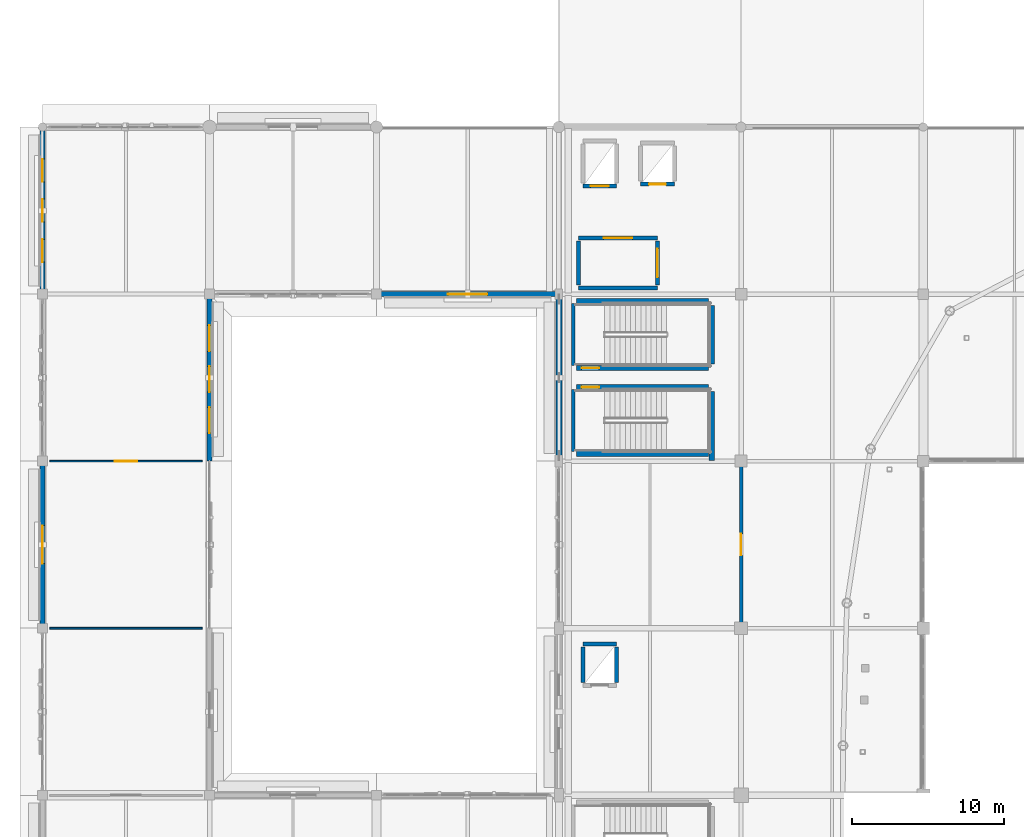
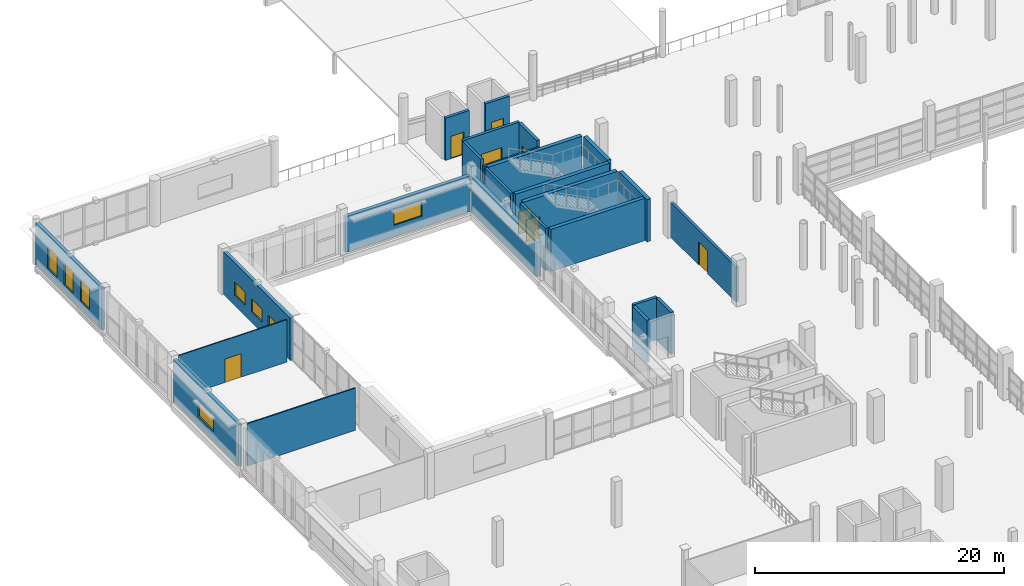
# One storey, part 83 of 118: 25 walls, 8 doors, 8 windows, 16 openings.
"""IFC4 building model written with IfcOpenShell, lengths in metres."""

from ifc_helpers import new_model, si_unit, direction, frame, frame_2d, origin, place, context, subcontext, project, spatial, rectangle, extrude, material, layer, layer_set, type_object, element, fill, save


model = new_model("IFC4")

# Units and contexts
model_context = context("Model", 3, precision=1e-05, world=origin(), true_north=direction((0.0, 1.0)))
body_context = subcontext(model_context, "Body", "Model", "MODEL_VIEW")
ifc_project = project(units=[si_unit("LENGTHUNIT", "METRE"), si_unit("AREAUNIT", "SQUARE_METRE"), si_unit("VOLUMEUNIT", "CUBIC_METRE"), si_unit("PLANEANGLEUNIT", "RADIAN"), si_unit("MASSUNIT", "GRAM", prefix="KILO")], contexts=[model_context])

# Site, building, storey
site_placement = place(None, origin())
site = spatial("IfcSite", under=ifc_project, at=site_placement, CompositionType="ELEMENT")
building_placement = place(site_placement, origin())
building = spatial("IfcBuilding", under=site, at=building_placement, Name="Luwafu Chhajja Arena", CompositionType="ELEMENT")
storey_placement = place(building_placement, frame((0.0, 0.0, 10.199951171875)))
storey = spatial("IfcBuildingStorey", under=building, at=storey_placement, Name="L02", CompositionType="ELEMENT", Elevation=10.199951171875)

# Wall, opening, door
ifc_material_1 = material(Name="Concrete blockwork masonry", Category="masonry")
ifc_layer_1 = layer(ifc_material_1, 0.239990234375, Name="Concrete blockwork masonry")
ifc_layer_set_1 = layer_set([ifc_layer_1], Name="Concrete blockwork masonry")
wall_type_1 = type_object("IfcWallType", Name="Compartment Masonry Partition 240", PredefinedType="PARTITIONING", material=ifc_layer_set_1)
wall_1_placement = place(storey_placement, frame((46.0, 66.219970703125, 0.0), z_axis=(0.0, 0.0, 1.0), x_axis=(0.0, 1.0, 0.0)))
wall_1 = element("IfcWall", 1, at=wall_1_placement, inside=storey, type_object=wall_type_1, Name="L02 Internal Partition 0276", PredefinedType="PARTITIONING", context=body_context, shape_type="SweptSolid", body=[
    extrude(rectangle(XDim=10.56005859375, YDim=0.239990234375, at=frame_2d((5.280029296875, 0.0))), origin(), (0.0, 0.0, 1.0), 3.405029296875),
])
opening_1_placement = place(wall_1_placement, frame((4.570068359375, 0.0, 0.0)))
opening_1 = element("IfcOpeningElement", 2, at=opening_1_placement, cuts=wall_1, Name="Opening DR-12", PredefinedType="OPENING", context=body_context, shape_type="SweptSolid", body=[
    extrude(rectangle(XDim=1.419921875, YDim=2.25, at=frame_2d((0.7099609375, 1.125))), frame((0.0, 0.1298828125, 0.0), z_axis=(0.0, -1.0, 0.0), x_axis=(1.0, 0.0, 0.0)), (0.0, 0.0, 1.0), 0.260009765625),
])
ifc_material_2 = material(Name="Powder-coated steel fire leaf", Category="steel")
door_type_1 = type_object("IfcDoorType", Name="DR-12", OperationType="NOTDEFINED", PredefinedType="DOOR", material=ifc_material_2)
door_1_placement = place(opening_1_placement, origin())
door_1 = element("IfcDoor", 3, at=door_1_placement, inside=storey, type_object=door_type_1, Name="L02 Interior Door L02-D034", OperationType="SINGLE_SWING_LEFT", OverallHeight=2.25, OverallWidth=1.419921875, PredefinedType="DOOR", context=body_context, shape_type="SweptSolid", body=[
    extrude(rectangle(XDim=1.419921875, YDim=2.25, at=frame_2d((0.7099609375, 1.125))), frame((0.0, 0.02490234375, 0.0), z_axis=(0.0, -1.0, 0.0), x_axis=(1.0, 0.0, 0.0)), (0.0, 0.0, 1.0), 0.050048828125),
])
fill(opening_1, door_1)

ifc_material_3 = material(Name="Gypsum plasterboard partition")
ifc_layer_2 = layer(ifc_material_3, 0.10009765625, Name="Gypsum plasterboard partition")
ifc_layer_set_2 = layer_set([ifc_layer_2], Name="Gypsum plasterboard partition")
wall_type_2 = type_object("IfcWallType", Name="Drywall Lining Partition 100", PredefinedType="PARTITIONING", material=ifc_layer_set_2)
wall_2_placement = place(storey_placement, frame((0.47998046875, 77.0, 0.0), z_axis=(0.0, 0.0, 1.0), x_axis=(1.0, 0.0, 0.0)))
wall_2 = element("IfcWall", 4, at=wall_2_placement, inside=storey, type_object=wall_type_2, Name="L02 Internal Partition 0269", PredefinedType="PARTITIONING", context=body_context, shape_type="SweptSolid", body=[
    extrude(rectangle(XDim=10.0400390625, YDim=0.10009765625, at=frame_2d((5.02001953125, 0.0))), origin(), (0.0, 0.0, 1.0), 4.14013671875),
])
opening_2_placement = place(wall_2_placement, frame((4.27001953125, 0.0, 0.0)))
opening_2 = element("IfcOpeningElement", 5, at=opening_2_placement, cuts=wall_2, Name="Opening DR-30", PredefinedType="OPENING", context=body_context, shape_type="SweptSolid", body=[
    extrude(rectangle(XDim=1.5, YDim=2.300048828125, at=frame_2d((0.75, 1.14990234375))), frame((0.0, 0.06005859375, 0.0), z_axis=(0.0, -1.0, 0.0), x_axis=(1.0, 0.0, 0.0)), (0.0, 0.0, 1.0), 0.1201171875),
])
ifc_material_4 = material(Name="Anodised bronze glazed double door")
door_type_2 = type_object("IfcDoorType", Name="DR-30", OperationType="DOUBLE_DOOR_SINGLE_SWING", PredefinedType="DOOR", material=ifc_material_4)
door_2_placement = place(opening_2_placement, origin())
door_2 = element("IfcDoor", 6, at=door_2_placement, inside=storey, type_object=door_type_2, Name="L02 Interior Door L02-D030", OperationType="DOUBLE_DOOR_SINGLE_SWING", OverallHeight=2.300048828125, OverallWidth=1.5, PredefinedType="DOOR", context=body_context, shape_type="SweptSolid", body=[
    extrude(rectangle(XDim=1.5, YDim=2.300048828125, at=frame_2d((0.75, 1.14990234375))), frame((0.0, 0.02490234375, 0.0), z_axis=(0.0, -1.0, 0.0), x_axis=(1.0, 0.0, 0.0)), (0.0, 0.0, 1.0), 0.050048828125),
])
fill(opening_2, door_2)

ifc_material_5 = material(Name="Concrete C40/50", Category="concrete")
ifc_layer_3 = layer(ifc_material_5, 0.260009765625, Name="Concrete C40/50")
ifc_layer_set_3 = layer_set([ifc_layer_3], Name="Concrete C40/50")
wall_type_3 = type_object("IfcWallType", Name="Firefighting Lobby Wall 260", PredefinedType="SOLIDWALL", material=ifc_layer_set_3)
wall_3_placement = place(storey_placement, frame((35.300048828125, 91.699951171875, 0.0), z_axis=(0.0, 0.0, 1.0), x_axis=(1.0, 0.0, 0.0)))
wall_3 = element("IfcWall", 7, at=wall_3_placement, inside=storey, type_object=wall_type_3, Name="L02 Core C3 Firefighting Lobby Wall N", PredefinedType="SOLIDWALL", context=body_context, shape_type="SweptSolid", body=[
    extrude(rectangle(XDim=5.199951171875, YDim=0.260009765625, at=frame_2d((2.60009765625, 0.0))), origin(), (0.0, 0.0, 1.0), 4.14013671875),
])
opening_3_placement = place(wall_3_placement, frame((1.64990234375, 0.0, 0.0)))
opening_3 = element("IfcOpeningElement", 8, at=opening_3_placement, cuts=wall_3, Name="Opening DR-07", PredefinedType="OPENING", context=body_context, shape_type="SweptSolid", body=[
    extrude(rectangle(XDim=1.89990234375, YDim=2.199951171875, at=frame_2d((0.949951171875, 1.10009765625))), frame((0.0, 0.139892578125, 0.0), z_axis=(0.0, -1.0, 0.0), x_axis=(1.0, 0.0, 0.0)), (0.0, 0.0, 1.0), 0.280029296875),
])
ifc_material_6 = material(Name="Fire-rated hardwood and vision panel", Category="wood")
door_type_3 = type_object("IfcDoorType", Name="DR-07", OperationType="DOUBLE_DOOR_SINGLE_SWING", PredefinedType="DOOR", material=ifc_material_6)
door_3_placement = place(opening_3_placement, origin())
door_3 = element("IfcDoor", 9, at=door_3_placement, inside=storey, type_object=door_type_3, Name="L02 Firefighting Lobby C3 Door L02-D011", OperationType="DOUBLE_DOOR_SINGLE_SWING", OverallHeight=2.199951171875, OverallWidth=1.89990234375, PredefinedType="DOOR", context=body_context, shape_type="SweptSolid", body=[
    extrude(rectangle(XDim=1.89990234375, YDim=2.199951171875, at=frame_2d((0.949951171875, 1.10009765625))), frame((0.0, 0.02490234375, 0.0), z_axis=(0.0, -1.0, 0.0), x_axis=(1.0, 0.0, 0.0)), (0.0, 0.0, 1.0), 0.050048828125),
])
fill(opening_3, door_3)

# Walls
wall_4_placement = place(storey_placement, frame((35.300048828125, 88.39990234375, 0.0), z_axis=(0.0, 0.0, 1.0), x_axis=(1.0, 0.0, 0.0)))
element("IfcWall", 10, at=wall_4_placement, inside=storey, type_object=wall_type_3, Name="L02 Core C3 Firefighting Lobby Wall S", PredefinedType="SOLIDWALL", context=body_context, shape_type="SweptSolid", body=[
    extrude(rectangle(XDim=5.199951171875, YDim=0.260009765625, at=frame_2d((2.60009765625, 0.0))), origin(), (0.0, 0.0, 1.0), 3.590087890625),
])
wall_5_placement = place(storey_placement, frame((35.300048828125, 88.60009765625, 0.0), z_axis=(0.0, 0.0, 1.0), x_axis=(0.0, 1.0, 0.0)))
element("IfcWall", 11, at=wall_5_placement, inside=storey, type_object=wall_type_3, Name="L02 Core C3 Firefighting Lobby Wall W", PredefinedType="SOLIDWALL", context=body_context, shape_type="SweptSolid", body=[
    extrude(rectangle(XDim=2.89990234375, YDim=0.260009765625, at=frame_2d((1.449951171875, 0.0))), origin(), (0.0, 0.0, 1.0), 4.14013671875),
])

# Wall, opening, door
wall_6_placement = place(storey_placement, frame((40.5, 88.60009765625, 0.0), z_axis=(0.0, 0.0, 1.0), x_axis=(0.0, 1.0, 0.0)))
wall_6 = element("IfcWall", 12, at=wall_6_placement, inside=storey, type_object=wall_type_3, Name="L02 Core C3 Firefighting Lobby Wall E", PredefinedType="SOLIDWALL", context=body_context, shape_type="SweptSolid", body=[
    extrude(rectangle(XDim=2.89990234375, YDim=0.260009765625, at=frame_2d((1.449951171875, 0.0))), origin(), (0.0, 0.0, 1.0), 4.14013671875),
])
opening_4_placement = place(wall_6_placement, frame((0.5, 0.0, 0.0)))
opening_4 = element("IfcOpeningElement", 13, at=opening_4_placement, cuts=wall_6, Name="Opening DR-07", PredefinedType="OPENING", context=body_context, shape_type="SweptSolid", body=[
    extrude(rectangle(XDim=1.89990234375, YDim=2.199951171875, at=frame_2d((0.949951171875, 1.10009765625))), frame((0.0, 0.139892578125, 0.0), z_axis=(0.0, -1.0, 0.0), x_axis=(1.0, 0.0, 0.0)), (0.0, 0.0, 1.0), 0.280029296875),
])
door_4_placement = place(opening_4_placement, origin())
door_4 = element("IfcDoor", 14, at=door_4_placement, inside=storey, type_object=door_type_3, Name="L02 Firefighting Lobby C3 Door L02-D012", OperationType="DOUBLE_DOOR_SINGLE_SWING", OverallHeight=2.199951171875, OverallWidth=1.89990234375, PredefinedType="DOOR", context=body_context, shape_type="SweptSolid", body=[
    extrude(rectangle(XDim=1.89990234375, YDim=2.199951171875, at=frame_2d((0.949951171875, 1.10009765625))), frame((0.0, 0.02490234375, 0.0), z_axis=(0.0, -1.0, 0.0), x_axis=(1.0, 0.0, 0.0)), (0.0, 0.0, 1.0), 0.050048828125),
])
fill(opening_4, door_4)

# Wall
ifc_material_7 = material(Name="Acoustic metal-stud gypsum board")
ifc_layer_4 = layer(ifc_material_7, 0.1201171875, Name="Acoustic metal-stud gypsum board")
ifc_layer_set_4 = layer_set([ifc_layer_4], Name="Acoustic metal-stud gypsum board")
wall_type_4 = type_object("IfcWallType", Name="Internal Room Partition 120", PredefinedType="PARTITIONING", material=ifc_layer_set_4)
wall_7_placement = place(storey_placement, frame((0.47998046875, 66.0, 0.0), z_axis=(0.0, 0.0, 1.0), x_axis=(1.0, 0.0, 0.0)))
element("IfcWall", 15, at=wall_7_placement, inside=storey, type_object=wall_type_4, Name="L02 Internal Partition 0285", PredefinedType="PARTITIONING", context=body_context, shape_type="SweptSolid", body=[
    extrude(rectangle(XDim=10.0400390625, YDim=0.1201171875, at=frame_2d((5.02001953125, 0.0))), origin(), (0.0, 0.0, 1.0), 4.14013671875),
])

# Wall, opening, door
ifc_material_8 = material(Name="Concrete C35/45", Category="concrete")
ifc_layer_5 = layer(ifc_material_8, 0.260009765625, Name="Concrete C35/45")
ifc_layer_set_5 = layer_set([ifc_layer_5], Name="Concrete C35/45")
wall_type_5 = type_object("IfcWallType", Name="Lift and Riser Shaft Wall 260", PredefinedType="SOLIDWALL", material=ifc_layer_set_5)
wall_8_placement = place(storey_placement, frame((35.590087890625, 95.114990234375, 0.0), z_axis=(0.0, 0.0, 1.0), x_axis=(1.0, 0.0, 0.0)))
wall_8 = element("IfcWall", 16, at=wall_8_placement, inside=storey, type_object=wall_type_5, Name="L02 Lift LF-03 Shaft Wall S", PredefinedType="SOLIDWALL", context=body_context, shape_type="SweptSolid", body=[
    extrude(rectangle(XDim=2.219970703125, YDim=0.260009765625, at=frame_2d((1.10986328125, 0.0))), origin(), (0.0, 0.0, 1.0), 4.14013671875),
])
opening_5_placement = place(wall_8_placement, frame((0.510009765625, 0.0, 0.0)))
opening_5 = element("IfcOpeningElement", 17, at=opening_5_placement, cuts=wall_8, Name="Opening LD-02", PredefinedType="OPENING", context=body_context, shape_type="SweptSolid", body=[
    extrude(rectangle(XDim=1.199951171875, YDim=2.199951171875, at=frame_2d((0.60009765625, 1.10009765625))), frame((0.0, 0.139892578125, 0.0), z_axis=(0.0, -1.0, 0.0), x_axis=(1.0, 0.0, 0.0)), (0.0, 0.0, 1.0), 0.280029296875),
])
ifc_material_9 = material(Name="Brushed stainless steel sliding leaves", Category="steel")
door_type_4 = type_object("IfcDoorType", Name="LD-02", OperationType="SLIDING_TO_LEFT", PredefinedType="DOOR", material=ifc_material_9)
door_5_placement = place(opening_5_placement, origin())
door_5 = element("IfcDoor", 18, at=door_5_placement, inside=storey, type_object=door_type_4, Name="L02 Lift LF-03 Landing Door L02-LD05", OperationType="SLIDING_TO_LEFT", OverallHeight=2.199951171875, OverallWidth=1.199951171875, PredefinedType="DOOR", context=body_context, shape_type="SweptSolid", body=[
    extrude(rectangle(XDim=1.199951171875, YDim=2.199951171875, at=frame_2d((0.60009765625, 1.10009765625))), frame((0.0, 0.02490234375, 0.0), z_axis=(0.0, -1.0, 0.0), x_axis=(1.0, 0.0, 0.0)), (0.0, 0.0, 1.0), 0.050048828125),
])
fill(opening_5, door_5)

wall_9_placement = place(storey_placement, frame((39.389892578125, 95.239990234375, 0.0), z_axis=(0.0, 0.0, 1.0), x_axis=(1.0, 0.0, 0.0)))
wall_9 = element("IfcWall", 19, at=wall_9_placement, inside=storey, type_object=wall_type_5, Name="L02 Lift LF-07 Shaft Wall S", PredefinedType="SOLIDWALL", context=body_context, shape_type="SweptSolid", body=[
    extrude(rectangle(XDim=2.22021484375, YDim=0.260009765625, at=frame_2d((1.110107421875, 0.0))), origin(), (0.0, 0.0, 1.0), 4.14013671875),
])
opening_6_placement = place(wall_9_placement, frame((0.56005859375, 0.0, 0.0)))
opening_6 = element("IfcOpeningElement", 20, at=opening_6_placement, cuts=wall_9, Name="Opening LD-01", PredefinedType="OPENING", context=body_context, shape_type="SweptSolid", body=[
    extrude(rectangle(XDim=1.10009765625, YDim=2.14990234375, at=frame_2d((0.550048828125, 1.074951171875))), frame((0.0, 0.139892578125, 0.0), z_axis=(0.0, -1.0, 0.0), x_axis=(1.0, 0.0, 0.0)), (0.0, 0.0, 1.0), 0.280029296875),
])
door_type_5 = type_object("IfcDoorType", Name="LD-01", OperationType="SLIDING_TO_LEFT", PredefinedType="DOOR", material=ifc_material_9)
door_6_placement = place(opening_6_placement, origin())
door_6 = element("IfcDoor", 21, at=door_6_placement, inside=storey, type_object=door_type_5, Name="L02 Lift LF-07 Landing Door L02-LD06", OperationType="SLIDING_TO_LEFT", OverallHeight=2.14990234375, OverallWidth=1.10009765625, PredefinedType="DOOR", context=body_context, shape_type="SweptSolid", body=[
    extrude(rectangle(XDim=1.10009765625, YDim=2.14990234375, at=frame_2d((0.550048828125, 1.074951171875))), frame((0.0, 0.02490234375, 0.0), z_axis=(0.0, -1.0, 0.0), x_axis=(1.0, 0.0, 0.0)), (0.0, 0.0, 1.0), 0.050048828125),
])
fill(opening_6, door_6)

# Walls
wall_10_placement = place(storey_placement, frame((35.590087890625, 64.9599609375, 0.0), z_axis=(0.0, 0.0, 1.0), x_axis=(1.0, 0.0, 0.0)))
element("IfcWall", 22, at=wall_10_placement, inside=storey, type_object=wall_type_5, Name="L02 Lift LF-09 Shaft Wall N", PredefinedType="SOLIDWALL", context=body_context, shape_type="SweptSolid", body=[
    extrude(rectangle(XDim=2.219970703125, YDim=0.260009765625, at=frame_2d((1.10986328125, 0.0))), origin(), (0.0, 0.0, 1.0), 4.14013671875),
])
for number, where, z_axis, x_axis, name in (
    (23, (35.590087890625, 62.43994140625, 0.0), (0.0, 0.0, 1.0), (0.0, 1.0, 0.0), "L02 Lift LF-09 Shaft Wall W"),
    (24, (37.81005859375, 62.43994140625, 0.0), (0.0, 0.0, 1.0), (0.0, 1.0, 0.0), "L02 Lift LF-09 Shaft Wall E"),
):
    element("IfcWall", number, at=place(storey_placement, frame(where, z_axis=z_axis, x_axis=x_axis)), inside=storey, type_object=wall_type_5, Name=name, PredefinedType="SOLIDWALL", context=body_context, shape_type="SweptSolid", body=[
        extrude(rectangle(XDim=2.320068359375, YDim=0.260009765625, at=frame_2d((1.16015625, 0.0))), origin(), (0.0, 0.0, 1.0), 4.14013671875),
    ])
ifc_layer_6 = layer(ifc_material_5, 0.35009765625, Name="Concrete C40/50")
ifc_layer_set_6 = layer_set([ifc_layer_6], Name="Concrete C40/50")
wall_type_6 = type_object("IfcWallType", Name="RC Core Shear Wall 350", PredefinedType="SOLIDWALL", material=ifc_layer_set_6)
wall_11_placement = place(storey_placement, frame((44.072021484375, 77.050048828125, 0.0), z_axis=(0.0, 0.0, 1.0), x_axis=(0.0, 1.0, 0.0)))
element("IfcWall", 25, at=wall_11_placement, inside=storey, type_object=wall_type_6, Name="L02 Stair ST-05 Core Shear Wall E", PredefinedType="SOLIDWALL", context=body_context, shape_type="SweptSolid", body=[
    extrude(rectangle(XDim=4.5400390625, YDim=0.35009765625, at=frame_2d((2.27001953125, 0.0))), origin(), (0.0, 0.0, 1.0), 4.14013671875),
])
wall_12_placement = place(storey_placement, frame((35.14990234375, 77.47802734375, 0.0), z_axis=(0.0, 0.0, 1.0), x_axis=(1.0, 0.0, 0.0)))
element("IfcWall", 26, at=wall_12_placement, inside=storey, type_object=wall_type_6, Name="L02 Stair ST-05 Core Shear Wall S", PredefinedType="SOLIDWALL", context=body_context, shape_type="SweptSolid", body=[
    extrude(rectangle(XDim=8.7001953125, YDim=0.35009765625, at=frame_2d((4.35009765625, 0.0))), origin(), (0.0, 0.0, 1.0), 4.14013671875),
])

# Wall, opening, door
wall_13_placement = place(storey_placement, frame((35.14990234375, 81.862060546875, 0.0), z_axis=(0.0, 0.0, 1.0), x_axis=(1.0, 0.0, 0.0)))
wall_13 = element("IfcWall", 27, at=wall_13_placement, inside=storey, type_object=wall_type_6, Name="L02 Stair ST-05 Core Shear Wall N", PredefinedType="SOLIDWALL", context=body_context, shape_type="SweptSolid", body=[
    extrude(rectangle(XDim=8.7001953125, YDim=0.35009765625, at=frame_2d((4.35009765625, 0.0))), origin(), (0.0, 0.0, 1.0), 4.14013671875),
])
opening_7_placement = place(wall_13_placement, frame((0.35009765625, 0.0, 0.0)))
opening_7 = element("IfcOpeningElement", 28, at=opening_7_placement, cuts=wall_13, Name="Opening DR-06", PredefinedType="OPENING", context=body_context, shape_type="SweptSolid", body=[
    extrude(rectangle(XDim=1.14990234375, YDim=2.199951171875, at=frame_2d((0.574951171875, 1.10009765625))), frame((0.0, 0.18505859375, 0.0), z_axis=(0.0, -1.0, 0.0), x_axis=(1.0, 0.0, 0.0)), (0.0, 0.0, 1.0), 0.3701171875),
])
ifc_material_10 = material(Name="Fire-rated hardwood and steel core", Category="steel")
door_type_6 = type_object("IfcDoorType", Name="DR-06", OperationType="NOTDEFINED", PredefinedType="DOOR", material=ifc_material_10)
door_7_placement = place(opening_7_placement, origin())
door_7 = element("IfcDoor", 29, at=door_7_placement, inside=storey, type_object=door_type_6, Name="L02 Escape Stair ST-05 Fire Door L02-D009", OperationType="SINGLE_SWING_RIGHT", OverallHeight=2.199951171875, OverallWidth=1.14990234375, PredefinedType="DOOR", context=body_context, shape_type="SweptSolid", body=[
    extrude(rectangle(XDim=1.14990234375, YDim=2.199951171875, at=frame_2d((0.574951171875, 1.10009765625))), frame((0.0, 0.02490234375, 0.0), z_axis=(0.0, -1.0, 0.0), x_axis=(1.0, 0.0, 0.0)), (0.0, 0.0, 1.0), 0.050048828125),
])
fill(opening_7, door_7)

# Wall
wall_14_placement = place(storey_placement, frame((44.072021484375, 83.409912109375, 0.0), z_axis=(0.0, 0.0, 1.0), x_axis=(0.0, 1.0, 0.0)))
element("IfcWall", 30, at=wall_14_placement, inside=storey, type_object=wall_type_6, Name="L02 Stair ST-06 Core Shear Wall E", PredefinedType="SOLIDWALL", context=body_context, shape_type="SweptSolid", body=[
    extrude(rectangle(XDim=3.840087890625, YDim=0.35009765625, at=frame_2d((1.919921875, 0.0))), origin(), (0.0, 0.0, 1.0), 4.14013671875),
])

# Wall, opening, door
wall_15_placement = place(storey_placement, frame((35.14990234375, 83.137939453125, 0.0), z_axis=(0.0, 0.0, 1.0), x_axis=(1.0, 0.0, 0.0)))
wall_15 = element("IfcWall", 31, at=wall_15_placement, inside=storey, type_object=wall_type_6, Name="L02 Stair ST-06 Core Shear Wall S", PredefinedType="SOLIDWALL", context=body_context, shape_type="SweptSolid", body=[
    extrude(rectangle(XDim=8.7001953125, YDim=0.35009765625, at=frame_2d((4.35009765625, 0.0))), origin(), (0.0, 0.0, 1.0), 4.14013671875),
])
opening_8_placement = place(wall_15_placement, frame((0.35009765625, 0.0, 0.0)))
opening_8 = element("IfcOpeningElement", 32, at=opening_8_placement, cuts=wall_15, Name="Opening DR-06", PredefinedType="OPENING", context=body_context, shape_type="SweptSolid", body=[
    extrude(rectangle(XDim=1.14990234375, YDim=2.199951171875, at=frame_2d((0.574951171875, 1.10009765625))), frame((0.0, 0.18505859375, 0.0), z_axis=(0.0, -1.0, 0.0), x_axis=(1.0, 0.0, 0.0)), (0.0, 0.0, 1.0), 0.3701171875),
])
door_8_placement = place(opening_8_placement, origin())
door_8 = element("IfcDoor", 33, at=door_8_placement, inside=storey, type_object=door_type_6, Name="L02 Escape Stair ST-06 Fire Door L02-D010", OperationType="SINGLE_SWING_LEFT", OverallHeight=2.199951171875, OverallWidth=1.14990234375, PredefinedType="DOOR", context=body_context, shape_type="SweptSolid", body=[
    extrude(rectangle(XDim=1.14990234375, YDim=2.199951171875, at=frame_2d((0.574951171875, 1.10009765625))), frame((0.0, 0.02490234375, 0.0), z_axis=(0.0, -1.0, 0.0), x_axis=(1.0, 0.0, 0.0)), (0.0, 0.0, 1.0), 0.050048828125),
])
fill(opening_8, door_8)

# Walls
wall_16_placement = place(storey_placement, frame((35.14990234375, 87.52197265625, 0.0), z_axis=(0.0, 0.0, 1.0), x_axis=(1.0, 0.0, 0.0)))
element("IfcWall", 34, at=wall_16_placement, inside=storey, type_object=wall_type_6, Name="L02 Stair ST-06 Core Shear Wall N", PredefinedType="SOLIDWALL", context=body_context, shape_type="SweptSolid", body=[
    extrude(rectangle(XDim=8.7001953125, YDim=0.35009765625, at=frame_2d((4.35009765625, 0.0))), origin(), (0.0, 0.0, 1.0), 4.14013671875),
])
ifc_layer_7 = layer(ifc_material_5, 0.39990234375, Name="Concrete C40/50")
ifc_layer_set_7 = layer_set([ifc_layer_7], Name="Concrete C40/50")
wall_type_7 = type_object("IfcWallType", Name="RC Core Shear Wall 400", PredefinedType="SOLIDWALL", material=ifc_layer_set_7)
wall_17_placement = place(storey_placement, frame((34.0, 77.219970703125, 0.0), z_axis=(0.0, 0.0, 1.0), x_axis=(0.0, 1.0, 0.0)))
element("IfcWall", 35, at=wall_17_placement, inside=storey, type_object=wall_type_7, Name="L02 Exterior Wall WEX-L02-161", PredefinedType="SOLIDWALL", context=body_context, shape_type="SweptSolid", body=[
    extrude(rectangle(XDim=10.56005859375, YDim=0.39990234375, at=frame_2d((5.280029296875, 0.0))), origin(), (0.0, 0.0, 1.0), 3.405029296875),
])

# Wall, opening, window
ifc_layer_8 = layer(ifc_material_8, 0.320068359375, Name="Concrete C35/45")
ifc_layer_set_8 = layer_set([ifc_layer_8], Name="Concrete C35/45")
wall_type_8 = type_object("IfcWallType", Name="Sandstone Backed Exterior Wall 320", PredefinedType="SOLIDWALL", material=ifc_layer_set_8)
wall_18_placement = place(storey_placement, frame((0.0, 66.219970703125, 0.0), z_axis=(0.0, 0.0, 1.0), x_axis=(0.0, 1.0, 0.0)))
wall_18 = element("IfcWall", 36, at=wall_18_placement, inside=storey, type_object=wall_type_8, Name="L02 Exterior Wall WEX-L02-153", PredefinedType="SOLIDWALL", context=body_context, shape_type="SweptSolid", body=[
    extrude(rectangle(XDim=10.56005859375, YDim=0.320068359375, at=frame_2d((5.280029296875, 0.0))), origin(), (0.0, 0.0, 1.0), 4.14501953125),
])
opening_9_placement = place(wall_18_placement, frame((4.030029296875, 0.0, 1.0)))
opening_9 = element("IfcOpeningElement", 37, at=opening_9_placement, cuts=wall_18, Name="Opening WN-20", PredefinedType="OPENING", context=body_context, shape_type="SweptSolid", body=[
    extrude(rectangle(XDim=2.5, YDim=1.35009765625, at=frame_2d((1.25, 0.675048828125))), frame((0.0, 0.169921875, 0.0), z_axis=(0.0, -1.0, 0.0), x_axis=(1.0, 0.0, 0.0)), (0.0, 0.0, 1.0), 0.340087890625),
])
ifc_material_11 = material(Name="Solar-control laminated glass", Category="glass")
window_type_1 = type_object("IfcWindowType", Name="Broadcast Gallery Slot Window 2500x1350", PartitioningType="SINGLE_PANEL", PredefinedType="WINDOW", material=ifc_material_11)
window_1_placement = place(opening_9_placement, origin())
window_1 = element("IfcWindow", 38, at=window_1_placement, inside=storey, type_object=window_type_1, Name="L02 Facade Window 082", OverallHeight=1.35009765625, OverallWidth=2.5, PartitioningType="SINGLE_PANEL", PredefinedType="WINDOW", context=body_context, shape_type="SweptSolid", body=[
    extrude(rectangle(XDim=2.5, YDim=1.35009765625, at=frame_2d((1.25, 0.675048828125))), frame((0.0, 0.030029296875, 0.0), z_axis=(0.0, -1.0, 0.0), x_axis=(1.0, 0.0, 0.0)), (0.0, 0.0, 1.0), 0.06005859375),
])
fill(opening_9, window_1)

# Wall, openings, windows
wall_19_placement = place(storey_placement, frame((11.0, 77.0, 0.0), z_axis=(0.0, 0.0, 1.0), x_axis=(0.0, 1.0, 0.0)))
wall_19 = element("IfcWall", 39, at=wall_19_placement, inside=storey, type_object=wall_type_8, Name="L02 Exterior Wall WEX-L02-154", PredefinedType="SOLIDWALL", context=body_context, shape_type="SweptSolid", body=[
    extrude(rectangle(XDim=10.780029296875, YDim=0.320068359375, at=frame_2d((5.39013671875, 0.0))), origin(), (0.0, 0.0, 1.0), 4.14501953125),
])
opening_10_placement = place(wall_19_placement, frame((1.844970703125, 0.0, 1.0)))
opening_10 = element("IfcOpeningElement", 40, at=opening_10_placement, cuts=wall_19, Name="Opening WN-21", PredefinedType="OPENING", context=body_context, shape_type="SweptSolid", body=[
    extrude(rectangle(XDim=1.699951171875, YDim=1.300048828125, at=frame_2d((0.85009765625, 0.64990234375))), frame((0.0, 0.169921875, 0.0), z_axis=(0.0, -1.0, 0.0), x_axis=(1.0, 0.0, 0.0)), (0.0, 0.0, 1.0), 0.340087890625),
])
opening_11_placement = place(wall_19_placement, frame((4.5400390625, 0.0, 1.0)))
opening_11 = element("IfcOpeningElement", 41, at=opening_11_placement, cuts=wall_19, Name="Opening WN-21", PredefinedType="OPENING", context=body_context, shape_type="SweptSolid", body=[
    extrude(rectangle(XDim=1.699951171875, YDim=1.300048828125, at=frame_2d((0.85009765625, 0.64990234375))), frame((0.0, 0.169921875, 0.0), z_axis=(0.0, -1.0, 0.0), x_axis=(1.0, 0.0, 0.0)), (0.0, 0.0, 1.0), 0.340087890625),
])
opening_12_placement = place(wall_19_placement, frame((7.235107421875, 0.0, 1.0)))
opening_12 = element("IfcOpeningElement", 42, at=opening_12_placement, cuts=wall_19, Name="Opening WN-21", PredefinedType="OPENING", context=body_context, shape_type="SweptSolid", body=[
    extrude(rectangle(XDim=1.699951171875, YDim=1.300048828125, at=frame_2d((0.85009765625, 0.64990234375))), frame((0.0, 0.169921875, 0.0), z_axis=(0.0, -1.0, 0.0), x_axis=(1.0, 0.0, 0.0)), (0.0, 0.0, 1.0), 0.340087890625),
])
window_type_2 = type_object("IfcWindowType", Name="Technical Gallery Louvred Window 1700x1300", PartitioningType="SINGLE_PANEL", PredefinedType="WINDOW", material=ifc_material_11)
window_2_placement = place(opening_10_placement, origin())
window_2 = element("IfcWindow", 43, at=window_2_placement, inside=storey, type_object=window_type_2, Name="L02 Facade Window 083", OverallHeight=1.300048828125, OverallWidth=1.699951171875, PartitioningType="SINGLE_PANEL", PredefinedType="WINDOW", context=body_context, shape_type="SweptSolid", body=[
    extrude(rectangle(XDim=1.699951171875, YDim=1.300048828125, at=frame_2d((0.85009765625, 0.64990234375))), frame((0.0, 0.030029296875, 0.0), z_axis=(0.0, -1.0, 0.0), x_axis=(1.0, 0.0, 0.0)), (0.0, 0.0, 1.0), 0.06005859375),
])
fill(opening_10, window_2)
window_3_placement = place(opening_11_placement, origin())
window_3 = element("IfcWindow", 44, at=window_3_placement, inside=storey, type_object=window_type_2, Name="L02 Facade Window 084", OverallHeight=1.300048828125, OverallWidth=1.699951171875, PartitioningType="SINGLE_PANEL", PredefinedType="WINDOW", context=body_context, shape_type="SweptSolid", body=[
    extrude(rectangle(XDim=1.699951171875, YDim=1.300048828125, at=frame_2d((0.85009765625, 0.64990234375))), frame((0.0, 0.030029296875, 0.0), z_axis=(0.0, -1.0, 0.0), x_axis=(1.0, 0.0, 0.0)), (0.0, 0.0, 1.0), 0.06005859375),
])
fill(opening_11, window_3)
window_4_placement = place(opening_12_placement, origin())
window_4 = element("IfcWindow", 45, at=window_4_placement, inside=storey, type_object=window_type_2, Name="L02 Facade Window 085", OverallHeight=1.300048828125, OverallWidth=1.699951171875, PartitioningType="SINGLE_PANEL", PredefinedType="WINDOW", context=body_context, shape_type="SweptSolid", body=[
    extrude(rectangle(XDim=1.699951171875, YDim=1.300048828125, at=frame_2d((0.85009765625, 0.64990234375))), frame((0.0, 0.030029296875, 0.0), z_axis=(0.0, -1.0, 0.0), x_axis=(1.0, 0.0, 0.0)), (0.0, 0.0, 1.0), 0.06005859375),
])
fill(opening_12, window_4)

wall_20_placement = place(storey_placement, frame((0.0, 88.219970703125, 0.0), z_axis=(0.0, 0.0, 1.0), x_axis=(0.0, 1.0, 0.0)))
wall_20 = element("IfcWall", 46, at=wall_20_placement, inside=storey, type_object=wall_type_8, Name="L02 Exterior Wall WEX-L02-155", PredefinedType="SOLIDWALL", context=body_context, shape_type="SweptSolid", body=[
    extrude(rectangle(XDim=10.56005859375, YDim=0.320068359375, at=frame_2d((5.280029296875, 0.0))), origin(), (0.0, 0.0, 1.0), 4.14501953125),
])
opening_13_placement = place(wall_20_placement, frame((1.889892578125, 0.0, 0.85009765625)))
opening_13 = element("IfcOpeningElement", 47, at=opening_13_placement, cuts=wall_20, Name="Opening WN-02", PredefinedType="OPENING", context=body_context, shape_type="SweptSolid", body=[
    extrude(rectangle(XDim=1.5, YDim=2.10009765625, at=frame_2d((0.75, 1.050048828125))), frame((0.0, 0.169921875, 0.0), z_axis=(0.0, -1.0, 0.0), x_axis=(1.0, 0.0, 0.0)), (0.0, 0.0, 1.0), 0.340087890625),
])
opening_14_placement = place(wall_20_placement, frame((4.530029296875, 0.0, 0.85009765625)))
opening_14 = element("IfcOpeningElement", 48, at=opening_14_placement, cuts=wall_20, Name="Opening WN-02", PredefinedType="OPENING", context=body_context, shape_type="SweptSolid", body=[
    extrude(rectangle(XDim=1.5, YDim=2.10009765625, at=frame_2d((0.75, 1.050048828125))), frame((0.0, 0.169921875, 0.0), z_axis=(0.0, -1.0, 0.0), x_axis=(1.0, 0.0, 0.0)), (0.0, 0.0, 1.0), 0.340087890625),
])
opening_15_placement = place(wall_20_placement, frame((7.169921875, 0.0, 0.85009765625)))
opening_15 = element("IfcOpeningElement", 49, at=opening_15_placement, cuts=wall_20, Name="Opening WN-02", PredefinedType="OPENING", context=body_context, shape_type="SweptSolid", body=[
    extrude(rectangle(XDim=1.5, YDim=2.10009765625, at=frame_2d((0.75, 1.050048828125))), frame((0.0, 0.169921875, 0.0), z_axis=(0.0, -1.0, 0.0), x_axis=(1.0, 0.0, 0.0)), (0.0, 0.0, 1.0), 0.340087890625),
])
window_type_3 = type_object("IfcWindowType", Name="Mughal Deep-Reveal Punched Window 1500x2100", PartitioningType="SINGLE_PANEL", PredefinedType="WINDOW", material=ifc_material_11)
window_5_placement = place(opening_13_placement, origin())
window_5 = element("IfcWindow", 50, at=window_5_placement, inside=storey, type_object=window_type_3, Name="L02 Facade Window 086", OverallHeight=2.10009765625, OverallWidth=1.5, PartitioningType="SINGLE_PANEL", PredefinedType="WINDOW", context=body_context, shape_type="SweptSolid", body=[
    extrude(rectangle(XDim=1.5, YDim=2.10009765625, at=frame_2d((0.75, 1.050048828125))), frame((0.0, 0.030029296875, 0.0), z_axis=(0.0, -1.0, 0.0), x_axis=(1.0, 0.0, 0.0)), (0.0, 0.0, 1.0), 0.06005859375),
])
fill(opening_13, window_5)
window_6_placement = place(opening_14_placement, origin())
window_6 = element("IfcWindow", 51, at=window_6_placement, inside=storey, type_object=window_type_3, Name="L02 Facade Window 087", OverallHeight=2.10009765625, OverallWidth=1.5, PartitioningType="SINGLE_PANEL", PredefinedType="WINDOW", context=body_context, shape_type="SweptSolid", body=[
    extrude(rectangle(XDim=1.5, YDim=2.10009765625, at=frame_2d((0.75, 1.050048828125))), frame((0.0, 0.030029296875, 0.0), z_axis=(0.0, -1.0, 0.0), x_axis=(1.0, 0.0, 0.0)), (0.0, 0.0, 1.0), 0.06005859375),
])
fill(opening_14, window_6)
window_7_placement = place(opening_15_placement, origin())
window_7 = element("IfcWindow", 52, at=window_7_placement, inside=storey, type_object=window_type_3, Name="L02 Facade Window 088", OverallHeight=2.10009765625, OverallWidth=1.5, PartitioningType="SINGLE_PANEL", PredefinedType="WINDOW", context=body_context, shape_type="SweptSolid", body=[
    extrude(rectangle(XDim=1.5, YDim=2.10009765625, at=frame_2d((0.75, 1.050048828125))), frame((0.0, 0.030029296875, 0.0), z_axis=(0.0, -1.0, 0.0), x_axis=(1.0, 0.0, 0.0)), (0.0, 0.0, 1.0), 0.06005859375),
])
fill(opening_15, window_7)

# Wall, opening, window
wall_21_placement = place(storey_placement, frame((22.219970703125, 88.0, 0.0), z_axis=(0.0, 0.0, 1.0), x_axis=(1.0, 0.0, 0.0)))
wall_21 = element("IfcWall", 53, at=wall_21_placement, inside=storey, type_object=wall_type_8, Name="L02 Exterior Wall WEX-L02-159", PredefinedType="SOLIDWALL", context=body_context, shape_type="SweptSolid", body=[
    extrude(rectangle(XDim=11.56005859375, YDim=0.320068359375, at=frame_2d((5.780029296875, 0.0))), origin(), (0.0, 0.0, 1.0), 3.489990234375),
])
opening_16_placement = place(wall_21_placement, frame((4.47998046875, 0.0, 1.10009765625)))
opening_16 = element("IfcOpeningElement", 54, at=opening_16_placement, cuts=wall_21, Name="Opening WN-09", PredefinedType="OPENING", context=body_context, shape_type="SweptSolid", body=[
    extrude(rectangle(XDim=2.60009765625, YDim=1.39990234375, at=frame_2d((1.300048828125, 0.699951171875))), frame((0.0, 0.169921875, 0.0), z_axis=(0.0, -1.0, 0.0), x_axis=(1.0, 0.0, 0.0)), (0.0, 0.0, 1.0), 0.340087890625),
])
window_type_4 = type_object("IfcWindowType", Name="Warm-Up Court High Window 2600x1400", PartitioningType="SINGLE_PANEL", PredefinedType="WINDOW", material=ifc_material_11)
window_8_placement = place(opening_16_placement, origin())
window_8 = element("IfcWindow", 55, at=window_8_placement, inside=storey, type_object=window_type_4, Name="L02 Facade Window 093", OverallHeight=1.39990234375, OverallWidth=2.60009765625, PartitioningType="SINGLE_PANEL", PredefinedType="WINDOW", context=body_context, shape_type="SweptSolid", body=[
    extrude(rectangle(XDim=2.60009765625, YDim=1.39990234375, at=frame_2d((1.300048828125, 0.699951171875))), frame((0.0, 0.030029296875, 0.0), z_axis=(0.0, -1.0, 0.0), x_axis=(1.0, 0.0, 0.0)), (0.0, 0.0, 1.0), 0.06005859375),
])
fill(opening_16, window_8)

# Walls
ifc_layer_9 = layer(ifc_material_8, 0.22998046875, Name="Concrete C35/45")
ifc_layer_set_9 = layer_set([ifc_layer_9], Name="Concrete C35/45")
wall_type_9 = type_object("IfcWallType", Name="Stair Enclosure Wall 230", PredefinedType="SOLIDWALL", material=ifc_layer_set_9)
for number, where, z_axis, x_axis, name in (
    (56, (34.9599609375, 77.6298828125, 0.0), (0.0, 0.0, 1.0), (0.0, 1.0, 0.0), "L02 Stair ST-05 Enclosure Wall W"),
    (57, (34.9599609375, 83.2900390625, 0.0), (0.0, 0.0, 1.0), (0.0, 1.0, 0.0), "L02 Stair ST-06 Enclosure Wall W"),
):
    element("IfcWall", number, at=place(storey_placement, frame(where, z_axis=z_axis, x_axis=x_axis)), inside=storey, type_object=wall_type_9, Name=name, PredefinedType="SOLIDWALL", context=body_context, shape_type="SweptSolid", body=[
        extrude(rectangle(XDim=4.080078125, YDim=0.22998046875, at=frame_2d((2.0400390625, 0.0))), origin(), (0.0, 0.0, 1.0), 4.14013671875),
    ])

save(model, "model.ifc")
